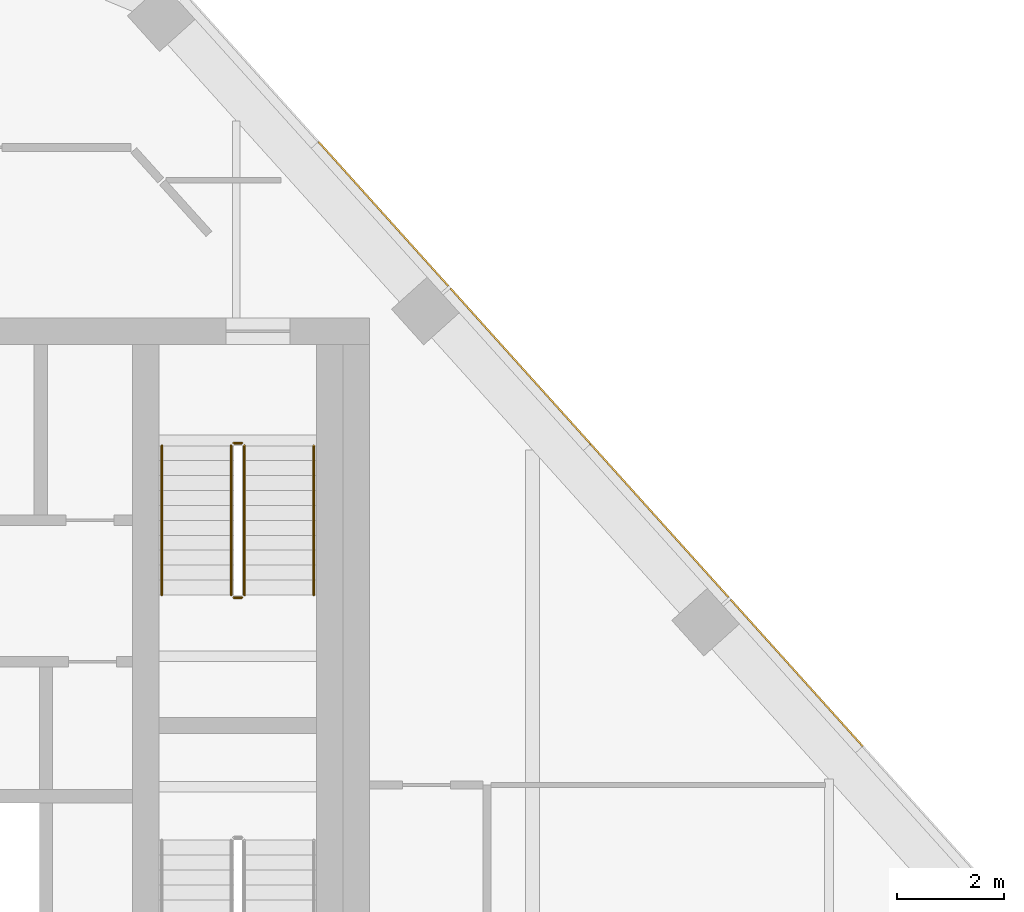
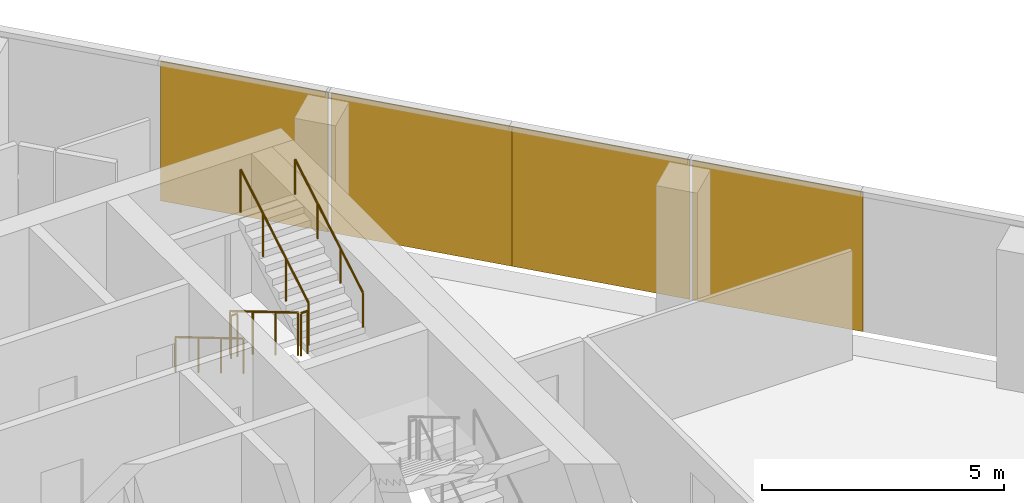
# One storey, part 15 of 15: 6 railings, 4 coverings, 1 element without a shape of its own.
"""IFC4 building model written with IfcOpenShell, lengths in metres."""

from ifc_helpers import new_model, si_unit, direction, frame, origin, origin_2d, place, context, subcontext, project, spatial, rectangle, circle, extrude, material, layer, layer_set, type_object, element, aggregate, save


model = new_model("IFC4")

# Units and contexts
model_context = context("Model", 3, precision=1e-05, world=origin(), true_north=direction((0.0, 1.0)))
body_context = subcontext(model_context, "Body", "Model", "MODEL_VIEW")
ifc_project = project(units=[si_unit("LENGTHUNIT", "METRE"), si_unit("AREAUNIT", "SQUARE_METRE"), si_unit("VOLUMEUNIT", "CUBIC_METRE"), si_unit("PLANEANGLEUNIT", "RADIAN"), si_unit("MASSUNIT", "GRAM", prefix="KILO")], contexts=[model_context])

# Site, building, storey
site_placement = place(None, origin())
site = spatial("IfcSite", under=ifc_project, at=site_placement, CompositionType="ELEMENT")
building_placement = place(site_placement, origin())
building = spatial("IfcBuilding", under=site, at=building_placement, Name="Isthmus Gate Tower", CompositionType="ELEMENT")
storey_placement = place(building_placement, frame((0.0, 0.0, 275.550048828125)))
storey = spatial("IfcBuildingStorey", under=building, at=storey_placement, Name="L70", CompositionType="ELEMENT", Elevation=275.550048828125)

# Curtain wall, coverings
ifc_material_1 = material(Name="Aluminium, pale champagne anodised", Category="aluminium")
ifc_layer_1 = layer(ifc_material_1, 0.199951171875)
ifc_layer_set_1 = layer_set([ifc_layer_1], Name="CW-1 UNITISED CURTAIN WALL 200 DEEP")
curtain_wall_type = type_object("IfcCurtainWallType", Name="CW-1 UNITISED CURTAIN WALL 200 DEEP", PredefinedType="NOTDEFINED", material=ifc_layer_set_1)
curtain_wall_placement = place(storey_placement, origin())
curtain_wall = element("IfcCurtainWall", 1, at=curtain_wall_placement, inside=storey, type_object=curtain_wall_type, Name="CW-1 NE L70", PredefinedType="NOTDEFINED")
ifc_material_2 = material(Name="Aluminium composite panel, pale champagne anodised", Category="aluminium")
ifc_layer_2 = layer(ifc_material_2, 0.031982421875)
ifc_layer_set_2 = layer_set([ifc_layer_2], Name="CW-1 PALE METAL PANEL 32")
covering_type = type_object("IfcCoveringType", Name="CW-1 PALE METAL PANEL 32", PredefinedType="CLADDING", material=ifc_layer_set_2)
covering_1_placement = place(storey_placement, frame((23.012939453125, 8.33837890625, 0.0), z_axis=(0.0, 0.0, 1.0), x_axis=(-0.669130606359, 0.743144825477, 0.0)))
covering_1 = element("IfcCovering", 2, at=covering_1_placement, type_object=covering_type, Name="CW-1 pale metal panel", PredefinedType="CLADDING", context=body_context, shape_type="SweptSolid", body=[
    extrude(rectangle(XDim=3.703369140625, YDim=0.031982421875, at=origin_2d()), origin(), (0.0, 0.0, 1.0), 3.52001953125),
])
covering_2_placement = place(storey_placement, frame((20.439453125, 11.196533203125, 0.0), z_axis=(0.0, 0.0, 1.0), x_axis=(-0.669130606359, 0.743144825477, 0.0)))
covering_2 = element("IfcCovering", 3, at=covering_2_placement, type_object=covering_type, Name="CW-1 pale metal panel", PredefinedType="CLADDING", context=body_context, shape_type="SweptSolid", body=[
    extrude(rectangle(XDim=3.868408203125, YDim=0.031982421875, at=origin_2d()), origin(), (0.0, 0.0, 1.0), 3.52001953125),
])
covering_3_placement = place(storey_placement, frame((17.8310546875, 14.093505859375, 0.0), z_axis=(0.0, 0.0, 1.0), x_axis=(-0.669130606359, 0.743144825477, 0.0)))
covering_3 = element("IfcCovering", 4, at=covering_3_placement, type_object=covering_type, Name="CW-1 pale metal panel", PredefinedType="CLADDING", context=body_context, shape_type="SweptSolid", body=[
    extrude(rectangle(XDim=3.928466796875, YDim=0.031982421875, at=origin_2d()), origin(), (0.0, 0.0, 1.0), 3.52001953125),
])
covering_4_placement = place(storey_placement, frame((15.257568359375, 16.95166015625, 0.0), z_axis=(0.0, 0.0, 1.0), x_axis=(-0.669130606359, 0.743144825477, 0.0)))
covering_4 = element("IfcCovering", 5, at=covering_4_placement, type_object=covering_type, Name="CW-1 pale metal panel", PredefinedType="CLADDING", context=body_context, shape_type="SweptSolid", body=[
    extrude(rectangle(XDim=3.643310546875, YDim=0.031982421875, at=origin_2d()), origin(), (0.0, 0.0, 1.0), 3.52001953125),
])
aggregate(curtain_wall, [covering_1, covering_2, covering_3, covering_4])

# Railings
ifc_material_3 = material(Name="Stainless steel balustrade", Category="steel")
railing_type_1 = type_object("IfcRailingType", Name="STAIR GUARD 1100", PredefinedType="GUARDRAIL", material=ifc_material_3)
railing_1_placement = place(storey_placement, frame((12.39990234375, 12.60009765625, 0.165771484375)))
element("IfcRailing", 6, at=railing_1_placement, inside=storey, type_object=railing_type_1, Name="L70 ST2 stair guard 1", PredefinedType="GUARDRAIL", context=body_context, shape_type="SweptSolid", body=[
    extrude(circle(Radius=0.02392578125, at=origin_2d()), frame((0.0, 0.0, 1.076171875), z_axis=(0.0, -0.860306154799, 0.50977771628), x_axis=(1.0, 0.0, 0.0)), (0.0, 0.0, 1.0), 3.254638671875),
    extrude(circle(Radius=0.02099609375, at=origin_2d()), origin(), (0.0, 0.0, 1.0), 1.052001953125),
    extrude(circle(Radius=0.02099609375, at=origin_2d()), frame((0.0, -0.933349609375, 0.552978515625)), (0.0, 0.0, 1.0), 1.052001953125),
    extrude(circle(Radius=0.02099609375, at=origin_2d()), frame((0.0, -1.86669921875, 1.106201171875)), (0.0, 0.0, 1.0), 1.052001953125),
    extrude(circle(Radius=0.02099609375, at=origin_2d()), frame((0.0, -2.800048828125, 1.6591796875)), (0.0, 0.0, 1.0), 1.052001953125),
])
railing_2_placement = place(storey_placement, frame((12.449951171875, 9.75, 1.824951171875)))
element("IfcRailing", 7, at=railing_2_placement, inside=storey, type_object=railing_type_1, Name="L70 ST2 stair guard 2", PredefinedType="GUARDRAIL", context=body_context, shape_type="SweptSolid", body=[
    extrude(circle(Radius=0.02392578125, at=origin_2d()), frame((0.0, 0.0, 1.076171875), z_axis=(1.0, 0.0, 0.0), x_axis=(0.0, 1.0, 0.0)), (0.0, 0.0, 1.0), 0.150146484375),
    extrude(circle(Radius=0.02099609375, at=origin_2d()), origin(), (0.0, 0.0, 1.0), 1.052001953125),
    extrude(circle(Radius=0.02099609375, at=origin_2d()), frame((0.150146484375, 0.0, 0.0)), (0.0, 0.0, 1.0), 1.052001953125),
])
railing_3_placement = place(storey_placement, frame((12.64990234375, 9.800048828125, 1.990966796875)))
element("IfcRailing", 8, at=railing_3_placement, inside=storey, type_object=railing_type_1, Name="L70 ST2 stair guard 3", PredefinedType="GUARDRAIL", context=body_context, shape_type="SweptSolid", body=[
    extrude(circle(Radius=0.02392578125, at=origin_2d()), frame((0.0, 0.0, 1.076171875), z_axis=(0.0, 0.860339051648, 0.50972219513), x_axis=(-1.0, 0.0, 0.0)), (0.0, 0.0, 1.0), 3.254638671875),
    extrude(circle(Radius=0.02099609375, at=origin_2d()), origin(), (0.0, 0.0, 1.0), 1.052001953125),
    extrude(circle(Radius=0.02099609375, at=origin_2d()), frame((0.0, 0.933349609375, 0.552978515625)), (0.0, 0.0, 1.0), 1.052001953125),
    extrude(circle(Radius=0.02099609375, at=origin_2d()), frame((0.0, 1.86669921875, 1.10595703125)), (0.0, 0.0, 1.0), 1.052001953125),
    extrude(circle(Radius=0.02099609375, at=origin_2d()), frame((0.0, 2.800048828125, 1.658935546875)), (0.0, 0.0, 1.0), 1.052001953125),
])
railing_4_placement = place(storey_placement, frame((12.449951171875, 12.64990234375, 0.0)))
element("IfcRailing", 9, at=railing_4_placement, inside=storey, type_object=railing_type_1, Name="L70 ST2 stair guard 4", PredefinedType="GUARDRAIL", context=body_context, shape_type="SweptSolid", body=[
    extrude(circle(Radius=0.02392578125, at=origin_2d()), frame((0.0, 0.0, 1.076171875), z_axis=(1.0, 0.0, 0.0), x_axis=(0.0, 1.0, 0.0)), (0.0, 0.0, 1.0), 0.150146484375),
    extrude(circle(Radius=0.02099609375, at=origin_2d()), origin(), (0.0, 0.0, 1.0), 1.052001953125),
    extrude(circle(Radius=0.02099609375, at=origin_2d()), frame((0.150146484375, 0.0, 0.0)), (0.0, 0.0, 1.0), 1.052001953125),
])
ifc_material_4 = material(Name="Stainless steel handrail", Category="steel")
railing_type_2 = type_object("IfcRailingType", Name="STAIR HANDRAIL 900", PredefinedType="HANDRAIL", material=ifc_material_4)
railing_5_placement = place(storey_placement, frame((11.10009765625, 12.60009765625, 0.165771484375)))
element("IfcRailing", 10, at=railing_5_placement, inside=storey, type_object=railing_type_2, Name="L70 ST2 stair handrail 1", PredefinedType="HANDRAIL", context=body_context, shape_type="SweptSolid", body=[
    extrude(circle(Radius=0.02392578125, at=origin_2d()), frame((0.0, 0.0, 0.8759765625), z_axis=(0.0, -0.860306154799, 0.50977771628), x_axis=(1.0, 0.0, 0.0)), (0.0, 0.0, 1.0), 3.254638671875),
    extrude(circle(Radius=0.02099609375, at=origin_2d()), origin(), (0.0, 0.0, 1.0), 0.851806640625),
    extrude(circle(Radius=0.02099609375, at=origin_2d()), frame((0.0, -0.933349609375, 0.552978515625)), (0.0, 0.0, 1.0), 0.851806640625),
    extrude(circle(Radius=0.02099609375, at=origin_2d()), frame((0.0, -1.86669921875, 1.106201171875)), (0.0, 0.0, 1.0), 0.851806640625),
    extrude(circle(Radius=0.02099609375, at=origin_2d()), frame((0.0, -2.800048828125, 1.6591796875)), (0.0, 0.0, 1.0), 0.851806640625),
])
railing_6_placement = place(storey_placement, frame((13.949951171875, 9.800048828125, 1.990966796875)))
element("IfcRailing", 11, at=railing_6_placement, inside=storey, type_object=railing_type_2, Name="L70 ST2 stair handrail 2", PredefinedType="HANDRAIL", context=body_context, shape_type="SweptSolid", body=[
    extrude(circle(Radius=0.02392578125, at=origin_2d()), frame((0.0, 0.0, 0.8759765625), z_axis=(0.0, 0.860339051648, 0.50972219513), x_axis=(-1.0, 0.0, 0.0)), (0.0, 0.0, 1.0), 3.254638671875),
    extrude(circle(Radius=0.02099609375, at=origin_2d()), origin(), (0.0, 0.0, 1.0), 0.851806640625),
    extrude(circle(Radius=0.02099609375, at=origin_2d()), frame((0.0, 0.933349609375, 0.552978515625)), (0.0, 0.0, 1.0), 0.851806640625),
    extrude(circle(Radius=0.02099609375, at=origin_2d()), frame((0.0, 1.86669921875, 1.10595703125)), (0.0, 0.0, 1.0), 0.851806640625),
    extrude(circle(Radius=0.02099609375, at=origin_2d()), frame((0.0, 2.800048828125, 1.658935546875)), (0.0, 0.0, 1.0), 0.851806640625),
])

save(model, "model.ifc")
